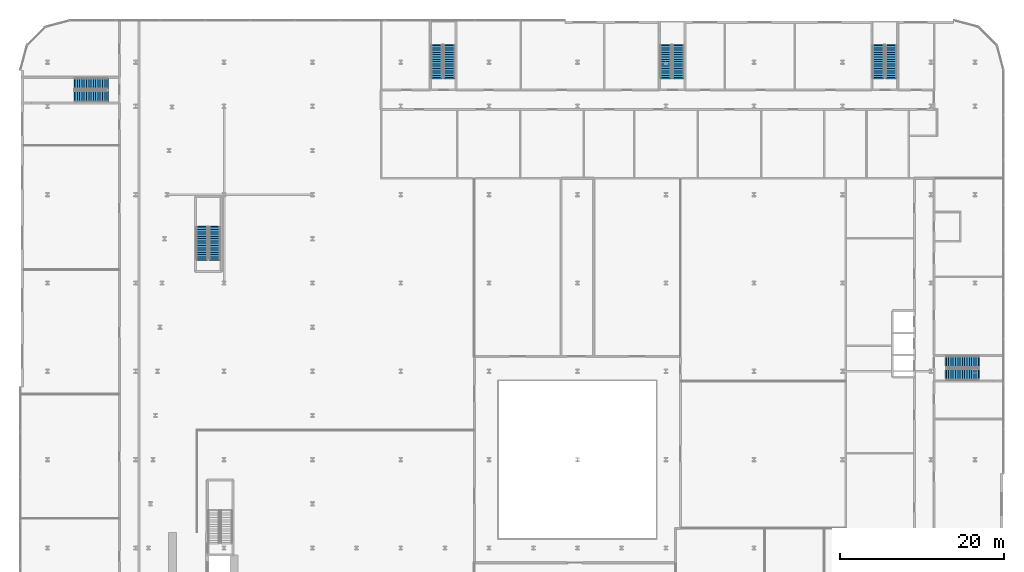
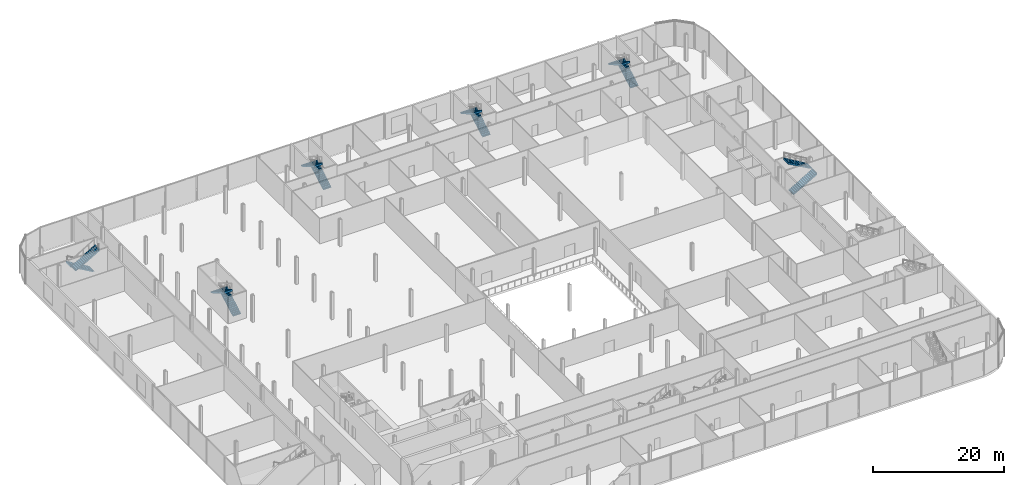
# One storey, part 37 of 47: 12 stair flights, 6 elements without a shape of their own.
"""IFC4 building model written with IfcOpenShell, lengths in metres."""

from ifc_helpers import new_model, si_unit, direction, frame, origin, place, context, subcontext, project, spatial, polyline, outline, extrude, material, layer, layer_set, type_object, element, aggregate, save


model = new_model("IFC4")

# Units and contexts
model_context = context("Model", 3, precision=1e-05, world=origin(), true_north=direction((0.0, 1.0)))
body_context = subcontext(model_context, "Body", "Model", "MODEL_VIEW")
ifc_project = project(units=[si_unit("LENGTHUNIT", "METRE"), si_unit("AREAUNIT", "SQUARE_METRE"), si_unit("VOLUMEUNIT", "CUBIC_METRE"), si_unit("PLANEANGLEUNIT", "RADIAN"), si_unit("MASSUNIT", "GRAM", prefix="KILO")], contexts=[model_context])

# Site, building, storey
site_placement = place(None, origin())
site = spatial("IfcSite", under=ifc_project, at=site_placement, CompositionType="ELEMENT")
building_placement = place(site_placement, origin())
building = spatial("IfcBuilding", under=site, at=building_placement, Name="Kheshtan School and Residences Tower", CompositionType="ELEMENT")
storey_placement = place(building_placement, frame((0.0, 0.0, 7.5)))
storey = spatial("IfcBuildingStorey", under=building, at=storey_placement, Name="L01", CompositionType="ELEMENT", Elevation=7.5)

# Stair, stair flights
ifc_material = material(Name="Concrete C40/50", Category="concrete")
stair_type = type_object("IfcStairType", Name="Exit stair, half-turn", PredefinedType="HALF_TURN_STAIR", material=ifc_material)
stair_1_placement = place(storey_placement, origin())
stair_1 = element("IfcStair", 1, at=stair_1_placement, inside=storey, type_object=stair_type, Name="L01 Protected Exit Stair ST3", PredefinedType="HALF_TURN_STAIR")
ifc_layer = layer(ifc_material, 0.14990234375)
ifc_layer_set = layer_set([ifc_layer], Name="Stair flight 1400 Concrete C40/50")
stair_flight_type = type_object("IfcStairFlightType", Name="Stair flight 1400 Concrete C40/50", PredefinedType="STRAIGHT", material=ifc_layer_set)
stair_flight_1_placement = place(storey_placement, frame((35.64990234375, 80.89990234375, 0.0), z_axis=(0.0, 0.0, 1.0), x_axis=(0.0, 1.0, 0.0)))
stair_flight_1 = element("IfcStairFlight", 2, at=stair_flight_1_placement, type_object=stair_flight_type, Name="ST3 flight 1", NumberOfRisers=15, NumberOfTreads=14, PredefinedType="STRAIGHT", RiserHeight=0.166666667, TreadLength=0.28, context=body_context, shape_type="SweptSolid", body=[
    extrude(outline(polyline([(-0.14990234375, -0.10009765625), (-0.14990234375, 0.0), (0.0, 0.0), (0.0, 0.166748046875), (0.280029296875, 0.166748046875), (0.280029296875, 0.333251953125), (0.56005859375, 0.333251953125), (0.56005859375, 0.5), (0.840087890625, 0.5), (0.840087890625, 0.666748046875), (1.1201171875, 0.666748046875), (1.1201171875, 0.833251953125), (1.39990234375, 0.833251953125), (1.39990234375, 1.0), (1.679931640625, 1.0), (1.679931640625, 1.166748046875), (1.9599609375, 1.166748046875), (1.9599609375, 1.333251953125), (2.239990234375, 1.333251953125), (2.239990234375, 1.5), (2.52001953125, 1.5), (2.52001953125, 1.666748046875), (2.800048828125, 1.666748046875), (2.800048828125, 1.833251953125), (3.080078125, 1.833251953125), (3.080078125, 2.0), (3.360107421875, 2.0), (3.360107421875, 2.166748046875), (3.639892578125, 2.166748046875), (3.639892578125, 2.333251953125), (3.919921875, 2.333251953125), (3.919921875, 2.5), (3.919921875, 2.52001953125), (4.06982421875, 2.52001953125), (4.06982421875, 2.158935546875), (0.29296875, 0.0), (-0.14990234375, -0.10009765625)])), frame((0.0, 0.699951171875, 0.0), z_axis=(0.0, -1.0, 0.0), x_axis=(1.0, 0.0, 0.0)), (0.0, 0.0, 1.0), 1.39990234375),
])
stair_flight_2_placement = place(storey_placement, frame((34.10009765625, 84.820068359375, 2.5), z_axis=(0.0, 0.0, 1.0), x_axis=(0.0, -1.0, 0.0)))
stair_flight_2 = element("IfcStairFlight", 3, at=stair_flight_2_placement, type_object=stair_flight_type, Name="ST3 flight 2", NumberOfRisers=15, NumberOfTreads=14, PredefinedType="STRAIGHT", RiserHeight=0.166666667, TreadLength=0.28, context=body_context, shape_type="SweptSolid", body=[
    extrude(outline(polyline([(-0.14990234375, -0.10009765625), (-0.14990234375, 0.0), (0.0, 0.0), (0.0, 0.166748046875), (0.280029296875, 0.166748046875), (0.280029296875, 0.333251953125), (0.56005859375, 0.333251953125), (0.56005859375, 0.5), (0.840087890625, 0.5), (0.840087890625, 0.666748046875), (1.1201171875, 0.666748046875), (1.1201171875, 0.833251953125), (1.39990234375, 0.833251953125), (1.39990234375, 1.0), (1.679931640625, 1.0), (1.679931640625, 1.166748046875), (1.9599609375, 1.166748046875), (1.9599609375, 1.333251953125), (2.239990234375, 1.333251953125), (2.239990234375, 1.5), (2.52001953125, 1.5), (2.52001953125, 1.666748046875), (2.800048828125, 1.666748046875), (2.800048828125, 1.833251953125), (3.080078125, 1.833251953125), (3.080078125, 2.0), (3.360107421875, 2.0), (3.360107421875, 2.166748046875), (3.639892578125, 2.166748046875), (3.639892578125, 2.333251953125), (3.919921875, 2.333251953125), (3.919921875, 2.5), (3.919921875, 2.52001953125), (4.06982421875, 2.52001953125), (4.06982421875, 2.158935546875), (0.29296875, 0.0), (-0.14990234375, -0.10009765625)])), frame((0.0, 0.699951171875, 0.0), z_axis=(0.0, -1.0, 0.0), x_axis=(1.0, 0.0, 0.0)), (0.0, 0.0, 1.0), 1.39990234375),
])
aggregate(stair_1, [stair_flight_1, stair_flight_2])

stair_2_placement = place(storey_placement, origin())
stair_2 = element("IfcStair", 4, at=stair_2_placement, inside=storey, type_object=stair_type, Name="L01 Civic Exit Stair 012-100", PredefinedType="HALF_TURN_STAIR")
stair_flight_3_placement = place(storey_placement, frame((22.5, 102.35009765625, 0.0), z_axis=(0.0, 0.0, 1.0), x_axis=(-1.0, 0.0, 0.0)))
stair_flight_3 = element("IfcStairFlight", 5, at=stair_flight_3_placement, type_object=stair_flight_type, Name="PS-012-100 flight 1", NumberOfRisers=15, NumberOfTreads=14, PredefinedType="STRAIGHT", RiserHeight=0.166666667, TreadLength=0.28, context=body_context, shape_type="SweptSolid", body=[
    extrude(outline(polyline([(-0.14990234375, -0.10009765625), (-0.14990234375, 0.0), (0.0, 0.0), (0.0, 0.166748046875), (0.280029296875, 0.166748046875), (0.280029296875, 0.333251953125), (0.56005859375, 0.333251953125), (0.56005859375, 0.5), (0.840087890625, 0.5), (0.840087890625, 0.666748046875), (1.1201171875, 0.666748046875), (1.1201171875, 0.833251953125), (1.39990234375, 0.833251953125), (1.39990234375, 1.0), (1.679931640625, 1.0), (1.679931640625, 1.166748046875), (1.9599609375, 1.166748046875), (1.9599609375, 1.333251953125), (2.239990234375, 1.333251953125), (2.239990234375, 1.5), (2.52001953125, 1.5), (2.52001953125, 1.666748046875), (2.800048828125, 1.666748046875), (2.800048828125, 1.833251953125), (3.080078125, 1.833251953125), (3.080078125, 2.0), (3.360107421875, 2.0), (3.360107421875, 2.166748046875), (3.639892578125, 2.166748046875), (3.639892578125, 2.333251953125), (3.919921875, 2.333251953125), (3.919921875, 2.5), (3.919921875, 2.52001953125), (4.06982421875, 2.52001953125), (4.06982421875, 2.158935546875), (0.29296875, 0.0), (-0.14990234375, -0.10009765625)])), frame((0.0, 0.699951171875, 0.0), z_axis=(0.0, -1.0, 0.0), x_axis=(1.0, 0.0, 0.0)), (0.0, 0.0, 1.0), 1.39990234375),
])
stair_flight_4_placement = place(storey_placement, frame((18.580078125, 100.800048828125, 2.5), z_axis=(0.0, 0.0, 1.0), x_axis=(1.0, 0.0, 0.0)))
stair_flight_4 = element("IfcStairFlight", 6, at=stair_flight_4_placement, type_object=stair_flight_type, Name="PS-012-100 flight 2", NumberOfRisers=15, NumberOfTreads=14, PredefinedType="STRAIGHT", RiserHeight=0.166666667, TreadLength=0.28, context=body_context, shape_type="SweptSolid", body=[
    extrude(outline(polyline([(-0.14990234375, -0.10009765625), (-0.14990234375, 0.0), (0.0, 0.0), (0.0, 0.166748046875), (0.280029296875, 0.166748046875), (0.280029296875, 0.333251953125), (0.56005859375, 0.333251953125), (0.56005859375, 0.5), (0.840087890625, 0.5), (0.840087890625, 0.666748046875), (1.1201171875, 0.666748046875), (1.1201171875, 0.833251953125), (1.39990234375, 0.833251953125), (1.39990234375, 1.0), (1.679931640625, 1.0), (1.679931640625, 1.166748046875), (1.9599609375, 1.166748046875), (1.9599609375, 1.333251953125), (2.239990234375, 1.333251953125), (2.239990234375, 1.5), (2.52001953125, 1.5), (2.52001953125, 1.666748046875), (2.800048828125, 1.666748046875), (2.800048828125, 1.833251953125), (3.080078125, 1.833251953125), (3.080078125, 2.0), (3.360107421875, 2.0), (3.360107421875, 2.166748046875), (3.639892578125, 2.166748046875), (3.639892578125, 2.333251953125), (3.919921875, 2.333251953125), (3.919921875, 2.5), (3.919921875, 2.52001953125), (4.06982421875, 2.52001953125), (4.06982421875, 2.158935546875), (0.29296875, 0.0), (-0.14990234375, -0.10009765625)])), frame((0.0, 0.699951171875, 0.0), z_axis=(0.0, -1.0, 0.0), x_axis=(1.0, 0.0, 0.0)), (0.0, 0.0, 1.0), 1.39990234375),
])
aggregate(stair_2, [stair_flight_3, stair_flight_4])

stair_3_placement = place(storey_placement, origin())
stair_3 = element("IfcStair", 7, at=stair_3_placement, inside=storey, type_object=stair_type, Name="L01 School Exit Stair 062-102", PredefinedType="HALF_TURN_STAIR")
stair_flight_5_placement = place(storey_placement, frame((64.35009765625, 103.10009765625, 0.0), z_axis=(0.0, 0.0, 1.0), x_axis=(0.0, 1.0, 0.0)))
stair_flight_5 = element("IfcStairFlight", 8, at=stair_flight_5_placement, type_object=stair_flight_type, Name="PS-062-102 flight 1", NumberOfRisers=15, NumberOfTreads=14, PredefinedType="STRAIGHT", RiserHeight=0.166666667, TreadLength=0.28, context=body_context, shape_type="SweptSolid", body=[
    extrude(outline(polyline([(-0.14990234375, -0.10009765625), (-0.14990234375, 0.0), (0.0, 0.0), (0.0, 0.166748046875), (0.280029296875, 0.166748046875), (0.280029296875, 0.333251953125), (0.56005859375, 0.333251953125), (0.56005859375, 0.5), (0.840087890625, 0.5), (0.840087890625, 0.666748046875), (1.1201171875, 0.666748046875), (1.1201171875, 0.833251953125), (1.39990234375, 0.833251953125), (1.39990234375, 1.0), (1.679931640625, 1.0), (1.679931640625, 1.166748046875), (1.9599609375, 1.166748046875), (1.9599609375, 1.333251953125), (2.239990234375, 1.333251953125), (2.239990234375, 1.5), (2.52001953125, 1.5), (2.52001953125, 1.666748046875), (2.800048828125, 1.666748046875), (2.800048828125, 1.833251953125), (3.080078125, 1.833251953125), (3.080078125, 2.0), (3.360107421875, 2.0), (3.360107421875, 2.166748046875), (3.639892578125, 2.166748046875), (3.639892578125, 2.333251953125), (3.919921875, 2.333251953125), (3.919921875, 2.5), (3.919921875, 2.52001953125), (4.06982421875, 2.52001953125), (4.06982421875, 2.158935546875), (0.29296875, 0.0), (-0.14990234375, -0.10009765625)])), frame((0.0, 0.699951171875, 0.0), z_axis=(0.0, -1.0, 0.0), x_axis=(1.0, 0.0, 0.0)), (0.0, 0.0, 1.0), 1.39990234375),
])
stair_flight_6_placement = place(storey_placement, frame((62.800048828125, 107.02001953125, 2.5), z_axis=(0.0, 0.0, 1.0), x_axis=(0.0, -1.0, 0.0)))
stair_flight_6 = element("IfcStairFlight", 9, at=stair_flight_6_placement, type_object=stair_flight_type, Name="PS-062-102 flight 2", NumberOfRisers=15, NumberOfTreads=14, PredefinedType="STRAIGHT", RiserHeight=0.166666667, TreadLength=0.28, context=body_context, shape_type="SweptSolid", body=[
    extrude(outline(polyline([(-0.14990234375, -0.10009765625), (-0.14990234375, 0.0), (0.0, 0.0), (0.0, 0.166748046875), (0.280029296875, 0.166748046875), (0.280029296875, 0.333251953125), (0.56005859375, 0.333251953125), (0.56005859375, 0.5), (0.840087890625, 0.5), (0.840087890625, 0.666748046875), (1.1201171875, 0.666748046875), (1.1201171875, 0.833251953125), (1.39990234375, 0.833251953125), (1.39990234375, 1.0), (1.679931640625, 1.0), (1.679931640625, 1.166748046875), (1.9599609375, 1.166748046875), (1.9599609375, 1.333251953125), (2.239990234375, 1.333251953125), (2.239990234375, 1.5), (2.52001953125, 1.5), (2.52001953125, 1.666748046875), (2.800048828125, 1.666748046875), (2.800048828125, 1.833251953125), (3.080078125, 1.833251953125), (3.080078125, 2.0), (3.360107421875, 2.0), (3.360107421875, 2.166748046875), (3.639892578125, 2.166748046875), (3.639892578125, 2.333251953125), (3.919921875, 2.333251953125), (3.919921875, 2.5), (3.919921875, 2.52001953125), (4.06982421875, 2.52001953125), (4.06982421875, 2.158935546875), (0.29296875, 0.0), (-0.14990234375, -0.10009765625)])), frame((0.0, 0.699951171875, 0.0), z_axis=(0.0, -1.0, 0.0), x_axis=(1.0, 0.0, 0.0)), (0.0, 0.0, 1.0), 1.39990234375),
])
aggregate(stair_3, [stair_flight_5, stair_flight_6])

stair_4_placement = place(storey_placement, origin())
stair_4 = element("IfcStair", 10, at=stair_4_placement, inside=storey, type_object=stair_type, Name="L01 School Exit Stair 090-102", PredefinedType="HALF_TURN_STAIR")
stair_flight_7_placement = place(storey_placement, frame((92.35009765625, 103.10009765625, 0.0), z_axis=(0.0, 0.0, 1.0), x_axis=(0.0, 1.0, 0.0)))
stair_flight_7 = element("IfcStairFlight", 11, at=stair_flight_7_placement, type_object=stair_flight_type, Name="PS-090-102 flight 1", NumberOfRisers=15, NumberOfTreads=14, PredefinedType="STRAIGHT", RiserHeight=0.166666667, TreadLength=0.28, context=body_context, shape_type="SweptSolid", body=[
    extrude(outline(polyline([(-0.14990234375, -0.10009765625), (-0.14990234375, 0.0), (0.0, 0.0), (0.0, 0.166748046875), (0.280029296875, 0.166748046875), (0.280029296875, 0.333251953125), (0.56005859375, 0.333251953125), (0.56005859375, 0.5), (0.840087890625, 0.5), (0.840087890625, 0.666748046875), (1.1201171875, 0.666748046875), (1.1201171875, 0.833251953125), (1.39990234375, 0.833251953125), (1.39990234375, 1.0), (1.679931640625, 1.0), (1.679931640625, 1.166748046875), (1.9599609375, 1.166748046875), (1.9599609375, 1.333251953125), (2.239990234375, 1.333251953125), (2.239990234375, 1.5), (2.52001953125, 1.5), (2.52001953125, 1.666748046875), (2.800048828125, 1.666748046875), (2.800048828125, 1.833251953125), (3.080078125, 1.833251953125), (3.080078125, 2.0), (3.360107421875, 2.0), (3.360107421875, 2.166748046875), (3.639892578125, 2.166748046875), (3.639892578125, 2.333251953125), (3.919921875, 2.333251953125), (3.919921875, 2.5), (3.919921875, 2.52001953125), (4.06982421875, 2.52001953125), (4.06982421875, 2.158935546875), (0.29296875, 0.0), (-0.14990234375, -0.10009765625)])), frame((0.0, 0.699951171875, 0.0), z_axis=(0.0, -1.0, 0.0), x_axis=(1.0, 0.0, 0.0)), (0.0, 0.0, 1.0), 1.39990234375),
])
stair_flight_8_placement = place(storey_placement, frame((90.800048828125, 107.02001953125, 2.5), z_axis=(0.0, 0.0, 1.0), x_axis=(0.0, -1.0, 0.0)))
stair_flight_8 = element("IfcStairFlight", 12, at=stair_flight_8_placement, type_object=stair_flight_type, Name="PS-090-102 flight 2", NumberOfRisers=15, NumberOfTreads=14, PredefinedType="STRAIGHT", RiserHeight=0.166666667, TreadLength=0.28, context=body_context, shape_type="SweptSolid", body=[
    extrude(outline(polyline([(-0.14990234375, -0.10009765625), (-0.14990234375, 0.0), (0.0, 0.0), (0.0, 0.166748046875), (0.280029296875, 0.166748046875), (0.280029296875, 0.333251953125), (0.56005859375, 0.333251953125), (0.56005859375, 0.5), (0.840087890625, 0.5), (0.840087890625, 0.666748046875), (1.1201171875, 0.666748046875), (1.1201171875, 0.833251953125), (1.39990234375, 0.833251953125), (1.39990234375, 1.0), (1.679931640625, 1.0), (1.679931640625, 1.166748046875), (1.9599609375, 1.166748046875), (1.9599609375, 1.333251953125), (2.239990234375, 1.333251953125), (2.239990234375, 1.5), (2.52001953125, 1.5), (2.52001953125, 1.666748046875), (2.800048828125, 1.666748046875), (2.800048828125, 1.833251953125), (3.080078125, 1.833251953125), (3.080078125, 2.0), (3.360107421875, 2.0), (3.360107421875, 2.166748046875), (3.639892578125, 2.166748046875), (3.639892578125, 2.333251953125), (3.919921875, 2.333251953125), (3.919921875, 2.5), (3.919921875, 2.52001953125), (4.06982421875, 2.52001953125), (4.06982421875, 2.158935546875), (0.29296875, 0.0), (-0.14990234375, -0.10009765625)])), frame((0.0, 0.699951171875, 0.0), z_axis=(0.0, -1.0, 0.0), x_axis=(1.0, 0.0, 0.0)), (0.0, 0.0, 1.0), 1.39990234375),
])
aggregate(stair_4, [stair_flight_7, stair_flight_8])

stair_5_placement = place(storey_placement, origin())
stair_5 = element("IfcStair", 13, at=stair_5_placement, inside=storey, type_object=stair_type, Name="L01 School Exit Stair 116-102", PredefinedType="HALF_TURN_STAIR")
stair_flight_9_placement = place(storey_placement, frame((118.35009765625, 103.10009765625, 0.0), z_axis=(0.0, 0.0, 1.0), x_axis=(0.0, 1.0, 0.0)))
stair_flight_9 = element("IfcStairFlight", 14, at=stair_flight_9_placement, type_object=stair_flight_type, Name="PS-116-102 flight 1", NumberOfRisers=15, NumberOfTreads=14, PredefinedType="STRAIGHT", RiserHeight=0.166666667, TreadLength=0.28, context=body_context, shape_type="SweptSolid", body=[
    extrude(outline(polyline([(-0.14990234375, -0.10009765625), (-0.14990234375, 0.0), (0.0, 0.0), (0.0, 0.166748046875), (0.280029296875, 0.166748046875), (0.280029296875, 0.333251953125), (0.56005859375, 0.333251953125), (0.56005859375, 0.5), (0.840087890625, 0.5), (0.840087890625, 0.666748046875), (1.1201171875, 0.666748046875), (1.1201171875, 0.833251953125), (1.39990234375, 0.833251953125), (1.39990234375, 1.0), (1.679931640625, 1.0), (1.679931640625, 1.166748046875), (1.9599609375, 1.166748046875), (1.9599609375, 1.333251953125), (2.239990234375, 1.333251953125), (2.239990234375, 1.5), (2.52001953125, 1.5), (2.52001953125, 1.666748046875), (2.800048828125, 1.666748046875), (2.800048828125, 1.833251953125), (3.080078125, 1.833251953125), (3.080078125, 2.0), (3.360107421875, 2.0), (3.360107421875, 2.166748046875), (3.639892578125, 2.166748046875), (3.639892578125, 2.333251953125), (3.919921875, 2.333251953125), (3.919921875, 2.5), (3.919921875, 2.52001953125), (4.06982421875, 2.52001953125), (4.06982421875, 2.158935546875), (0.29296875, 0.0), (-0.14990234375, -0.10009765625)])), frame((0.0, 0.699951171875, 0.0), z_axis=(0.0, -1.0, 0.0), x_axis=(1.0, 0.0, 0.0)), (0.0, 0.0, 1.0), 1.39990234375),
])
stair_flight_10_placement = place(storey_placement, frame((116.800048828125, 107.02001953125, 2.5), z_axis=(0.0, 0.0, 1.0), x_axis=(0.0, -1.0, 0.0)))
stair_flight_10 = element("IfcStairFlight", 15, at=stair_flight_10_placement, type_object=stair_flight_type, Name="PS-116-102 flight 2", NumberOfRisers=15, NumberOfTreads=14, PredefinedType="STRAIGHT", RiserHeight=0.166666667, TreadLength=0.28, context=body_context, shape_type="SweptSolid", body=[
    extrude(outline(polyline([(-0.14990234375, -0.10009765625), (-0.14990234375, 0.0), (0.0, 0.0), (0.0, 0.166748046875), (0.280029296875, 0.166748046875), (0.280029296875, 0.333251953125), (0.56005859375, 0.333251953125), (0.56005859375, 0.5), (0.840087890625, 0.5), (0.840087890625, 0.666748046875), (1.1201171875, 0.666748046875), (1.1201171875, 0.833251953125), (1.39990234375, 0.833251953125), (1.39990234375, 1.0), (1.679931640625, 1.0), (1.679931640625, 1.166748046875), (1.9599609375, 1.166748046875), (1.9599609375, 1.333251953125), (2.239990234375, 1.333251953125), (2.239990234375, 1.5), (2.52001953125, 1.5), (2.52001953125, 1.666748046875), (2.800048828125, 1.666748046875), (2.800048828125, 1.833251953125), (3.080078125, 1.833251953125), (3.080078125, 2.0), (3.360107421875, 2.0), (3.360107421875, 2.166748046875), (3.639892578125, 2.166748046875), (3.639892578125, 2.333251953125), (3.919921875, 2.333251953125), (3.919921875, 2.5), (3.919921875, 2.52001953125), (4.06982421875, 2.52001953125), (4.06982421875, 2.158935546875), (0.29296875, 0.0), (-0.14990234375, -0.10009765625)])), frame((0.0, 0.699951171875, 0.0), z_axis=(0.0, -1.0, 0.0), x_axis=(1.0, 0.0, 0.0)), (0.0, 0.0, 1.0), 1.39990234375),
])
aggregate(stair_5, [stair_flight_9, stair_flight_10])

stair_6_placement = place(storey_placement, origin())
stair_6 = element("IfcStair", 16, at=stair_6_placement, inside=storey, type_object=stair_type, Name="L01 School Exit Stair 124-066", PredefinedType="HALF_TURN_STAIR")
stair_flight_11_placement = place(storey_placement, frame((125.10009765625, 66.800048828125, 0.0), z_axis=(0.0, 0.0, 1.0), x_axis=(1.0, 0.0, 0.0)))
stair_flight_11 = element("IfcStairFlight", 17, at=stair_flight_11_placement, type_object=stair_flight_type, Name="PS-124-066 flight 1", NumberOfRisers=15, NumberOfTreads=14, PredefinedType="STRAIGHT", RiserHeight=0.166666667, TreadLength=0.28, context=body_context, shape_type="SweptSolid", body=[
    extrude(outline(polyline([(-0.14990234375, -0.10009765625), (-0.14990234375, 0.0), (0.0, 0.0), (0.0, 0.166748046875), (0.280029296875, 0.166748046875), (0.280029296875, 0.333251953125), (0.56005859375, 0.333251953125), (0.56005859375, 0.5), (0.840087890625, 0.5), (0.840087890625, 0.666748046875), (1.1201171875, 0.666748046875), (1.1201171875, 0.833251953125), (1.39990234375, 0.833251953125), (1.39990234375, 1.0), (1.679931640625, 1.0), (1.679931640625, 1.166748046875), (1.9599609375, 1.166748046875), (1.9599609375, 1.333251953125), (2.239990234375, 1.333251953125), (2.239990234375, 1.5), (2.52001953125, 1.5), (2.52001953125, 1.666748046875), (2.800048828125, 1.666748046875), (2.800048828125, 1.833251953125), (3.080078125, 1.833251953125), (3.080078125, 2.0), (3.360107421875, 2.0), (3.360107421875, 2.166748046875), (3.639892578125, 2.166748046875), (3.639892578125, 2.333251953125), (3.919921875, 2.333251953125), (3.919921875, 2.5), (3.919921875, 2.52001953125), (4.06982421875, 2.52001953125), (4.06982421875, 2.158935546875), (0.29296875, 0.0), (-0.14990234375, -0.10009765625)])), frame((0.0, 0.699951171875, 0.0), z_axis=(0.0, -1.0, 0.0), x_axis=(1.0, 0.0, 0.0)), (0.0, 0.0, 1.0), 1.39990234375),
])
stair_flight_12_placement = place(storey_placement, frame((129.02001953125, 68.35009765625, 2.5), z_axis=(0.0, 0.0, 1.0), x_axis=(-1.0, 0.0, 0.0)))
stair_flight_12 = element("IfcStairFlight", 18, at=stair_flight_12_placement, type_object=stair_flight_type, Name="PS-124-066 flight 2", NumberOfRisers=15, NumberOfTreads=14, PredefinedType="STRAIGHT", RiserHeight=0.166666667, TreadLength=0.28, context=body_context, shape_type="SweptSolid", body=[
    extrude(outline(polyline([(-0.14990234375, -0.10009765625), (-0.14990234375, 0.0), (0.0, 0.0), (0.0, 0.166748046875), (0.280029296875, 0.166748046875), (0.280029296875, 0.333251953125), (0.56005859375, 0.333251953125), (0.56005859375, 0.5), (0.840087890625, 0.5), (0.840087890625, 0.666748046875), (1.1201171875, 0.666748046875), (1.1201171875, 0.833251953125), (1.39990234375, 0.833251953125), (1.39990234375, 1.0), (1.679931640625, 1.0), (1.679931640625, 1.166748046875), (1.9599609375, 1.166748046875), (1.9599609375, 1.333251953125), (2.239990234375, 1.333251953125), (2.239990234375, 1.5), (2.52001953125, 1.5), (2.52001953125, 1.666748046875), (2.800048828125, 1.666748046875), (2.800048828125, 1.833251953125), (3.080078125, 1.833251953125), (3.080078125, 2.0), (3.360107421875, 2.0), (3.360107421875, 2.166748046875), (3.639892578125, 2.166748046875), (3.639892578125, 2.333251953125), (3.919921875, 2.333251953125), (3.919921875, 2.5), (3.919921875, 2.52001953125), (4.06982421875, 2.52001953125), (4.06982421875, 2.158935546875), (0.29296875, 0.0), (-0.14990234375, -0.10009765625)])), frame((0.0, 0.699951171875, 0.0), z_axis=(0.0, -1.0, 0.0), x_axis=(1.0, 0.0, 0.0)), (0.0, 0.0, 1.0), 1.39990234375),
])
aggregate(stair_6, [stair_flight_11, stair_flight_12])

save(model, "model.ifc")
